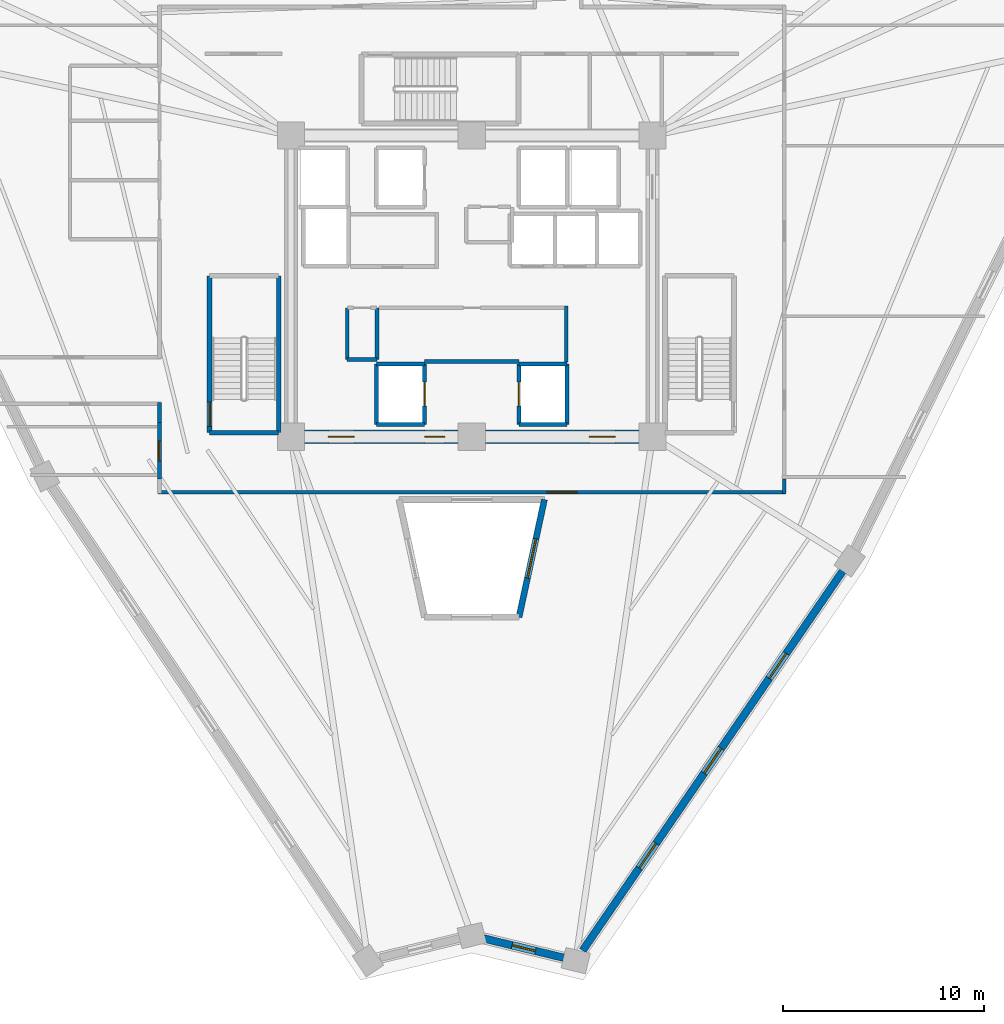
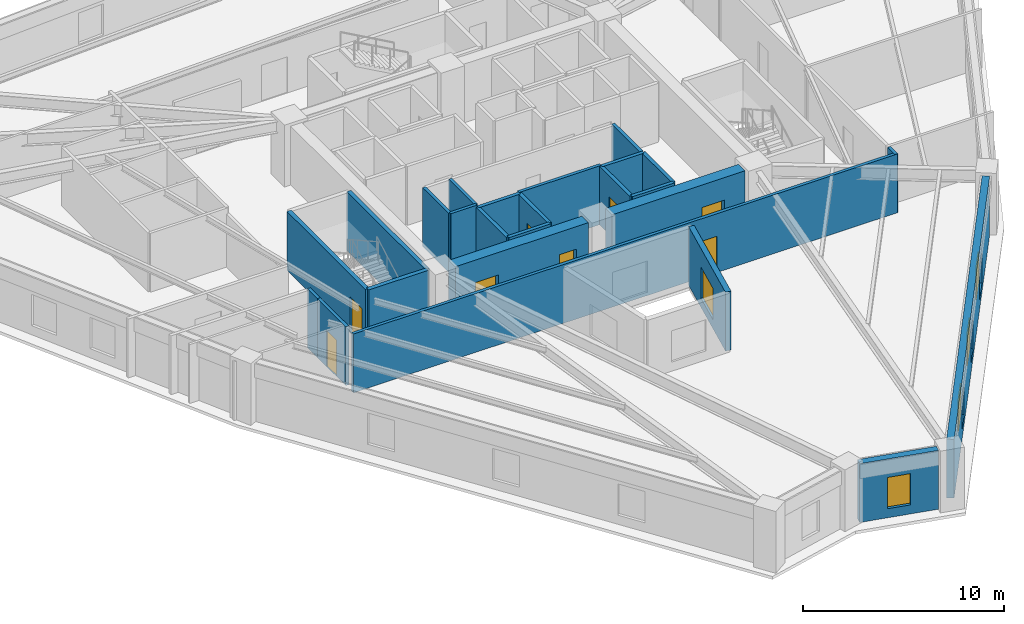
# One storey, part 3 of 8: 25 walls, 8 doors, 5 windows, 13 openings.
"""IFC4 building model written with IfcOpenShell, lengths in metres."""

from ifc_helpers import new_model, si_unit, direction, frame, frame_2d, origin, place, context, subcontext, project, spatial, rectangle, extrude, source, transform, mapped, material, layer, layer_set, type_object, element, fill, save


model = new_model("IFC4")

# Units and contexts
model_context = context("Model", 3, precision=1e-05, world=origin(), true_north=direction((0.0, 1.0)))
body_context = subcontext(model_context, "Body", "Model", "MODEL_VIEW")
ifc_project = project(units=[si_unit("LENGTHUNIT", "METRE"), si_unit("AREAUNIT", "SQUARE_METRE"), si_unit("VOLUMEUNIT", "CUBIC_METRE"), si_unit("PLANEANGLEUNIT", "RADIAN"), si_unit("MASSUNIT", "GRAM", prefix="KILO")], contexts=[model_context])

# Site, building, storey
site_placement = place(None, origin())
site = spatial("IfcSite", under=ifc_project, at=site_placement, CompositionType="ELEMENT")
building_placement = place(site_placement, origin())
building = spatial("IfcBuilding", under=site, at=building_placement, Name="Liaohun Quay Tower", CompositionType="ELEMENT")
storey_placement = place(building_placement, frame((0.0, 0.0, 262.5)))
storey = spatial("IfcBuildingStorey", under=building, at=storey_placement, Name="L68", CompositionType="ELEMENT", Elevation=262.5)

# Wall, opening, window
ifc_material_1 = material(Name="Concrete C50", Category="concrete")
ifc_layer_1 = layer(ifc_material_1, 0.300048828125, Name="Concrete C50", Category="concrete")
ifc_layer_set_1 = layer_set([ifc_layer_1], Name="Concrete C50")
wall_type_1 = type_object("IfcWallType", Name="WAL-ATR-300", PredefinedType="SOLIDWALL", material=ifc_layer_set_1)
wall_1_placement = place(storey_placement, frame((63.62109375, 43.3701171875, 0.0), z_axis=(0.0, 0.0, 1.0), x_axis=(-0.211271830319, -0.977427344468, 0.0)))
wall_1 = element("IfcWall", 1, at=wall_1_placement, inside=storey, type_object=wall_type_1, Name="L68 Atrium Fire Compartment Wall 3", PredefinedType="SOLIDWALL", context=body_context, shape_type="SweptSolid", body=[
    extrude(rectangle(XDim=5.99755859375, YDim=0.300048828125, at=frame_2d((2.998779296875, 0.0))), origin(), (0.0, 0.0, 1.0), 3.570068359375),
])
shared_shape_1 = source(origin(), body_context, "Body", "SweptSolid", [
    extrude(rectangle(XDim=2.0, YDim=1.89990234375, at=frame_2d((1.0, 0.949951171875))), frame((0.0, 0.159912109375, 0.0), z_axis=(0.0, -1.0, 0.0), x_axis=(1.0, 0.0, 0.0)), (0.0, 0.0, 1.0), 0.320068359375),
])
opening_1_placement = place(wall_1_placement, frame((1.9990234375, 0.0, 0.550048828125)))
opening_1 = element("IfcOpeningElement", 2, at=opening_1_placement, cuts=wall_1, Name="Opening W07", PredefinedType="OPENING", context=body_context, shape_type="MappedRepresentation", body=[
    mapped(shared_shape_1, transform((0.0, 0.0, 0.0), x_axis=(1.0, 0.0, 0.0), y_axis=(0.0, 1.0, 0.0), z_axis=(0.0, 0.0, 1.0), scale=1.0)),
])
ifc_material_2 = material(Name="Class A 180-min fire-resistant insulated glazing", Category="glass")
window_type_1 = type_object("IfcWindowType", Name="WIN-ATR-FIR", PartitioningType="DOUBLE_PANEL_VERTICAL", PredefinedType="WINDOW", material=ifc_material_2)
shared_shape_2 = source(origin(), body_context, "Body", "SweptSolid", [
    extrude(rectangle(XDim=2.0, YDim=1.89990234375, at=frame_2d((1.0, 0.949951171875))), frame((0.0, 0.030029296875, 0.0), z_axis=(0.0, -1.0, 0.0), x_axis=(1.0, 0.0, 0.0)), (0.0, 0.0, 1.0), 0.06005859375),
])
window_1_placement = place(opening_1_placement, origin())
window_1 = element("IfcWindow", 3, at=window_1_placement, inside=storey, type_object=window_type_1, Name="L68 Atrium Fire-Resistant Glazing W07-3", OverallHeight=1.89990234375, OverallWidth=2.0, PartitioningType="DOUBLE_PANEL_VERTICAL", PredefinedType="WINDOW", context=body_context, shape_type="MappedRepresentation", body=[
    mapped(shared_shape_2, transform((0.0, 0.0, 0.0), x_axis=(1.0, 0.0, 0.0), y_axis=(0.0, 1.0, 0.0), z_axis=(0.0, 0.0, 1.0), scale=1.0)),
])
fill(opening_1, window_1)

# Wall, opening, door
ifc_material_3 = material(Name="Concrete C55", Category="concrete")
ifc_layer_2 = layer(ifc_material_3, 0.64990234375, Name="Concrete C55", Category="concrete")
ifc_layer_set_2 = layer_set([ifc_layer_2], Name="Concrete C55")
wall_type_2 = type_object("IfcWallType", Name="WAL-COR-Z3", PredefinedType="SHEAR", material=ifc_layer_set_2)
wall_2_placement = place(storey_placement, frame((68.324951171875, 46.5, 0.0), z_axis=(0.0, 0.0, 1.0), x_axis=(-1.0, 0.0, 0.0)))
wall_2 = element("IfcWall", 4, at=wall_2_placement, inside=storey, type_object=wall_type_2, Name="L68 Central Core Shear Wall S-E", PredefinedType="SHEAR", context=body_context, shape_type="SweptSolid", body=[
    extrude(rectangle(XDim=7.64990234375, YDim=0.64990234375, at=frame_2d((3.824951171875, 0.0))), origin(), (0.0, 0.0, 1.0), 3.570068359375),
])
shared_shape_3 = source(origin(), body_context, "Body", "SweptSolid", [
    extrude(rectangle(XDim=1.300048828125, YDim=2.199951171875, at=frame_2d((0.64990234375, 1.10009765625))), frame((0.0, 0.3349609375, 0.0), z_axis=(0.0, -1.0, 0.0), x_axis=(1.0, 0.0, 0.0)), (0.0, 0.0, 1.0), 0.669921875),
])
opening_2_placement = place(wall_2_placement, frame((1.175048828125, 0.0, 0.0)))
opening_2 = element("IfcOpeningElement", 5, at=opening_2_placement, cuts=wall_2, Name="Opening FD1", PredefinedType="OPENING", context=body_context, shape_type="MappedRepresentation", body=[
    mapped(shared_shape_3, transform((0.0, 0.0, 0.0), x_axis=(1.0, 0.0, 0.0), y_axis=(0.0, 1.0, 0.0), z_axis=(0.0, 0.0, 1.0), scale=1.0)),
])
ifc_material_4 = material(Name="Galvanised steel smokeproof fire door", Category="steel")
door_type_1 = type_object("IfcDoorType", Name="DOR-FFL-1300", OperationType="NOTDEFINED", PredefinedType="DOOR", material=ifc_material_4)
shared_shape_4 = source(origin(), body_context, "Body", "SweptSolid", [
    extrude(rectangle(XDim=1.300048828125, YDim=2.199951171875, at=frame_2d((0.64990234375, 1.10009765625))), frame((0.0, 0.02490234375, 0.0), z_axis=(0.0, -1.0, 0.0), x_axis=(1.0, 0.0, 0.0)), (0.0, 0.0, 1.0), 0.050048828125),
])
door_1_placement = place(opening_2_placement, origin())
door_1 = element("IfcDoor", 6, at=door_1_placement, inside=storey, type_object=door_type_1, Name="L68 East Core Lift Lobby Smokeproof Door", OperationType="SINGLE_SWING_LEFT", OverallHeight=2.199951171875, OverallWidth=1.300048828125, PredefinedType="DOOR", context=body_context, shape_type="MappedRepresentation", body=[
    mapped(shared_shape_4, transform((0.0, 0.0, 0.0), x_axis=(1.0, 0.0, 0.0), y_axis=(0.0, 1.0, 0.0), z_axis=(0.0, 0.0, 1.0), scale=1.0)),
])
fill(opening_2, door_1)

# Wall, openings, doors
wall_3_placement = place(storey_placement, frame((59.324951171875, 46.5, 0.0), z_axis=(0.0, 0.0, 1.0), x_axis=(-1.0, 0.0, 0.0)))
wall_3 = element("IfcWall", 7, at=wall_3_placement, inside=storey, type_object=wall_type_2, Name="L68 Central Core Shear Wall S-W", PredefinedType="SHEAR", context=body_context, shape_type="SweptSolid", body=[
    extrude(rectangle(XDim=7.64990234375, YDim=0.64990234375, at=frame_2d((3.824951171875, 0.0))), origin(), (0.0, 0.0, 1.0), 3.570068359375),
])
opening_3_placement = place(wall_3_placement, frame((5.175048828125, 0.0, 0.0)))
opening_3 = element("IfcOpeningElement", 8, at=opening_3_placement, cuts=wall_3, Name="Opening FD1", PredefinedType="OPENING", context=body_context, shape_type="MappedRepresentation", body=[
    mapped(shared_shape_3, transform((0.0, 0.0, 0.0), x_axis=(1.0, 0.0, 0.0), y_axis=(0.0, 1.0, 0.0), z_axis=(0.0, 0.0, 1.0), scale=1.0)),
])
shared_shape_5 = source(origin(), body_context, "Body", "SweptSolid", [
    extrude(rectangle(XDim=1.0, YDim=2.199951171875, at=frame_2d((0.5, 1.10009765625))), frame((0.0, 0.3349609375, 0.0), z_axis=(0.0, -1.0, 0.0), x_axis=(1.0, 0.0, 0.0)), (0.0, 0.0, 1.0), 0.669921875),
])
opening_4_placement = place(wall_3_placement, frame((0.675048828125, 0.0, 0.0)))
opening_4 = element("IfcOpeningElement", 9, at=opening_4_placement, cuts=wall_3, Name="Opening FD2", PredefinedType="OPENING", context=body_context, shape_type="MappedRepresentation", body=[
    mapped(shared_shape_5, transform((0.0, 0.0, 0.0), x_axis=(1.0, 0.0, 0.0), y_axis=(0.0, 1.0, 0.0), z_axis=(0.0, 0.0, 1.0), scale=1.0)),
])
door_2_placement = place(opening_3_placement, origin())
door_2 = element("IfcDoor", 10, at=door_2_placement, inside=storey, type_object=door_type_1, Name="L68 West Core Lift Lobby Smokeproof Door", OperationType="SINGLE_SWING_RIGHT", OverallHeight=2.199951171875, OverallWidth=1.300048828125, PredefinedType="DOOR", context=body_context, shape_type="MappedRepresentation", body=[
    mapped(shared_shape_4, transform((0.0, 0.0, 0.0), x_axis=(1.0, 0.0, 0.0), y_axis=(0.0, 1.0, 0.0), z_axis=(0.0, 0.0, 1.0), scale=1.0)),
])
fill(opening_3, door_2)
ifc_material_5 = material(Name="Galvanised steel smokeproof lobby fire door", Category="steel")
door_type_2 = type_object("IfcDoorType", Name="DOR-FFL-1000", OperationType="NOTDEFINED", PredefinedType="DOOR", material=ifc_material_5)
shared_shape_6 = source(origin(), body_context, "Body", "SweptSolid", [
    extrude(rectangle(XDim=1.0, YDim=2.199951171875, at=frame_2d((0.5, 1.10009765625))), frame((0.0, 0.02490234375, 0.0), z_axis=(0.0, -1.0, 0.0), x_axis=(1.0, 0.0, 0.0)), (0.0, 0.0, 1.0), 0.050048828125),
])
door_3_placement = place(opening_4_placement, origin())
door_3 = element("IfcDoor", 11, at=door_3_placement, inside=storey, type_object=door_type_2, Name="L68 South Firefighting Lobby Smokeproof Door", OperationType="SINGLE_SWING_LEFT", OverallHeight=2.199951171875, OverallWidth=1.0, PredefinedType="DOOR", context=body_context, shape_type="MappedRepresentation", body=[
    mapped(shared_shape_6, transform((0.0, 0.0, 0.0), x_axis=(1.0, 0.0, 0.0), y_axis=(0.0, 1.0, 0.0), z_axis=(0.0, 0.0, 1.0), scale=1.0)),
])
fill(opening_4, door_3)

# Wall, opening, window
ifc_material_6 = material(Name="Precast concrete C50 insulated sandwich", Category="concrete")
ifc_layer_3 = layer(ifc_material_6, 0.3798828125, Name="Precast concrete C50 insulated sandwich", Category="concrete")
ifc_layer_set_3 = layer_set([ifc_layer_3], Name="Precast concrete C50 insulated sandwich")
wall_type_3 = type_object("IfcWallType", Name="WAL-EXT-Z34", PredefinedType="SOLIDWALL", material=ifc_layer_set_3)
wall_4_placement = place(storey_placement, frame((60.597900390625, 21.5048828125, 0.0), z_axis=(0.0, 0.0, 1.0), x_axis=(0.972030144739, -0.234856121314, 0.0)))
wall_4 = element("IfcWall", 12, at=wall_4_placement, inside=storey, type_object=wall_type_3, Name="L68 Brutalist Precast Pier Wall 01", PredefinedType="SOLIDWALL", context=body_context, shape_type="SweptSolid", body=[
    extrude(rectangle(XDim=4.095703125, YDim=0.3798828125, at=frame_2d((2.0478515625, 0.0))), origin(), (0.0, 0.0, 1.0), 3.570068359375),
])
shared_shape_7 = source(origin(), body_context, "Body", "SweptSolid", [
    extrude(rectangle(XDim=1.199951171875, YDim=1.89990234375, at=frame_2d((0.60009765625, 0.949951171875))), frame((0.0, 0.199951171875, 0.0), z_axis=(0.0, -1.0, 0.0), x_axis=(1.0, 0.0, 0.0)), (0.0, 0.0, 1.0), 0.39990234375),
])
opening_5_placement = place(wall_4_placement, frame((1.447998046875, 0.0, 0.550048828125)))
opening_5 = element("IfcOpeningElement", 13, at=opening_5_placement, cuts=wall_4, Name="Opening W05", PredefinedType="OPENING", context=body_context, shape_type="MappedRepresentation", body=[
    mapped(shared_shape_7, transform((0.0, 0.0, 0.0), x_axis=(1.0, 0.0, 0.0), y_axis=(0.0, 1.0, 0.0), z_axis=(0.0, 0.0, 1.0), scale=1.0)),
])
ifc_material_7 = material(Name="Triple Low-E corner notch glazing", Category="glass")
window_type_2 = type_object("IfcWindowType", Name="WIN-NOTCH", PartitioningType="SINGLE_PANEL", PredefinedType="WINDOW", material=ifc_material_7)
shared_shape_8 = source(origin(), body_context, "Body", "SweptSolid", [
    extrude(rectangle(XDim=1.199951171875, YDim=1.89990234375, at=frame_2d((0.60009765625, 0.949951171875))), frame((0.0, 0.030029296875, 0.0), z_axis=(0.0, -1.0, 0.0), x_axis=(1.0, 0.0, 0.0)), (0.0, 0.0, 1.0), 0.06005859375),
])
window_2_placement = place(opening_5_placement, origin())
window_2 = element("IfcWindow", 14, at=window_2_placement, inside=storey, type_object=window_type_2, Name="L68 Corner Notch Window W05-01", OverallHeight=1.89990234375, OverallWidth=1.199951171875, PartitioningType="SINGLE_PANEL", PredefinedType="WINDOW", context=body_context, shape_type="MappedRepresentation", body=[
    mapped(shared_shape_8, transform((0.0, 0.0, 0.0), x_axis=(1.0, 0.0, 0.0), y_axis=(0.0, 1.0, 0.0), z_axis=(0.0, 0.0, 1.0), scale=1.0)),
])
fill(opening_5, window_2)

# Wall, openings, windows
wall_5_placement = place(storey_placement, frame((65.52490234375, 20.906005859375, 0.0), z_axis=(0.0, 0.0, 1.0), x_axis=(0.565364357926, 0.824841283392, 0.0)))
wall_5 = element("IfcWall", 15, at=wall_5_placement, inside=storey, type_object=wall_type_3, Name="L68 Brutalist Precast Pier Wall 02", PredefinedType="SOLIDWALL", context=body_context, shape_type="SweptSolid", body=[
    extrude(rectangle(XDim=22.91455078125, YDim=0.3798828125, at=frame_2d((11.457275390625, 0.0))), origin(), (0.0, 0.0, 1.0), 3.570068359375),
])
shared_shape_9 = source(origin(), body_context, "Body", "SweptSolid", [
    extrude(rectangle(XDim=1.5, YDim=1.89990234375, at=frame_2d((0.75, 0.949951171875))), frame((0.0, 0.199951171875, 0.0), z_axis=(0.0, -1.0, 0.0), x_axis=(1.0, 0.0, 0.0)), (0.0, 0.0, 1.0), 0.39990234375),
])
opening_6_placement = place(wall_5_placement, frame((4.97900390625, 0.0, 0.550048828125)))
opening_6 = element("IfcOpeningElement", 16, at=opening_6_placement, cuts=wall_5, Name="Opening W03", PredefinedType="OPENING", context=body_context, shape_type="MappedRepresentation", body=[
    mapped(shared_shape_9, transform((0.0, 0.0, 0.0), x_axis=(1.0, 0.0, 0.0), y_axis=(0.0, 1.0, 0.0), z_axis=(0.0, 0.0, 1.0), scale=1.0)),
])
opening_7_placement = place(wall_5_placement, frame((10.70703125, 0.0, 0.550048828125)))
opening_7 = element("IfcOpeningElement", 17, at=opening_7_placement, cuts=wall_5, Name="Opening W03", PredefinedType="OPENING", context=body_context, shape_type="MappedRepresentation", body=[
    mapped(shared_shape_9, transform((0.0, 0.0, 0.0), x_axis=(1.0, 0.0, 0.0), y_axis=(0.0, 1.0, 0.0), z_axis=(0.0, 0.0, 1.0), scale=1.0)),
])
opening_8_placement = place(wall_5_placement, frame((16.43603515625, 0.0, 0.550048828125)))
opening_8 = element("IfcOpeningElement", 18, at=opening_8_placement, cuts=wall_5, Name="Opening W03", PredefinedType="OPENING", context=body_context, shape_type="MappedRepresentation", body=[
    mapped(shared_shape_9, transform((0.0, 0.0, 0.0), x_axis=(1.0, 0.0, 0.0), y_axis=(0.0, 1.0, 0.0), z_axis=(0.0, 0.0, 1.0), scale=1.0)),
])
ifc_material_8 = material(Name="Triple Low-E argon glazing in thermally broken aluminium", Category="aluminium")
window_type_3 = type_object("IfcWindowType", Name="WIN-PUN-Z3", PartitioningType="DOUBLE_PANEL_VERTICAL", PredefinedType="WINDOW", material=ifc_material_8)
shared_shape_10 = source(origin(), body_context, "Body", "SweptSolid", [
    extrude(rectangle(XDim=1.5, YDim=1.89990234375, at=frame_2d((0.75, 0.949951171875))), frame((0.0, 0.030029296875, 0.0), z_axis=(0.0, -1.0, 0.0), x_axis=(1.0, 0.0, 0.0)), (0.0, 0.0, 1.0), 0.06005859375),
])
window_3_placement = place(opening_6_placement, origin())
window_3 = element("IfcWindow", 19, at=window_3_placement, inside=storey, type_object=window_type_3, Name="L68 Recessed Cold-Climate Punched Window 02-1", OverallHeight=1.89990234375, OverallWidth=1.5, PartitioningType="DOUBLE_PANEL_VERTICAL", PredefinedType="WINDOW", context=body_context, shape_type="MappedRepresentation", body=[
    mapped(shared_shape_10, transform((0.0, 0.0, 0.0), x_axis=(1.0, 0.0, 0.0), y_axis=(0.0, 1.0, 0.0), z_axis=(0.0, 0.0, 1.0), scale=1.0)),
])
fill(opening_6, window_3)
window_4_placement = place(opening_7_placement, origin())
window_4 = element("IfcWindow", 20, at=window_4_placement, inside=storey, type_object=window_type_3, Name="L68 Recessed Cold-Climate Punched Window 02-2", OverallHeight=1.89990234375, OverallWidth=1.5, PartitioningType="DOUBLE_PANEL_VERTICAL", PredefinedType="WINDOW", context=body_context, shape_type="MappedRepresentation", body=[
    mapped(shared_shape_10, transform((0.0, 0.0, 0.0), x_axis=(1.0, 0.0, 0.0), y_axis=(0.0, 1.0, 0.0), z_axis=(0.0, 0.0, 1.0), scale=1.0)),
])
fill(opening_7, window_4)
window_5_placement = place(opening_8_placement, origin())
window_5 = element("IfcWindow", 21, at=window_5_placement, inside=storey, type_object=window_type_3, Name="L68 Recessed Cold-Climate Punched Window 02-3", OverallHeight=1.89990234375, OverallWidth=1.5, PartitioningType="DOUBLE_PANEL_VERTICAL", PredefinedType="WINDOW", context=body_context, shape_type="MappedRepresentation", body=[
    mapped(shared_shape_10, transform((0.0, 0.0, 0.0), x_axis=(1.0, 0.0, 0.0), y_axis=(0.0, 1.0, 0.0), z_axis=(0.0, 0.0, 1.0), scale=1.0)),
])
fill(opening_8, window_5)

# Wall, opening, door
ifc_material_9 = material(Name="Autoclaved aerated concrete blockwork", Category="masonry")
ifc_layer_4 = layer(ifc_material_9, 0.179931640625, Name="Autoclaved aerated concrete blockwork", Category="masonry")
ifc_layer_set_4 = layer_set([ifc_layer_4], Name="Autoclaved aerated concrete blockwork")
wall_type_4 = type_object("IfcWallType", Name="WAL-PRT-COR", PredefinedType="PARTITIONING", material=ifc_layer_set_4)
wall_6_placement = place(storey_placement, frame((44.43994140625, 44.385009765625, 0.0), z_axis=(0.0, 0.0, 1.0), x_axis=(0.0, 1.0, 0.0)))
wall_6 = element("IfcWall", 22, at=wall_6_placement, inside=storey, type_object=wall_type_4, Name="L68 Interior Partition Wall 018", PredefinedType="PARTITIONING", context=body_context, shape_type="SweptSolid", body=[
    extrude(rectangle(XDim=2.830078125, YDim=0.179931640625, at=frame_2d((1.4150390625, 0.0))), origin(), (0.0, 0.0, 1.0), 3.570068359375),
])
shared_shape_11 = source(origin(), body_context, "Body", "SweptSolid", [
    extrude(rectangle(XDim=1.0, YDim=2.199951171875, at=frame_2d((0.5, 1.10009765625))), frame((0.0, 0.099853515625, 0.0), z_axis=(0.0, -1.0, 0.0), x_axis=(1.0, 0.0, 0.0)), (0.0, 0.0, 1.0), 0.199951171875),
])
opening_9_placement = place(wall_6_placement, frame((0.9150390625, 0.0, 0.0)))
opening_9 = element("IfcOpeningElement", 23, at=opening_9_placement, cuts=wall_6, Name="Opening OD1", PredefinedType="OPENING", context=body_context, shape_type="MappedRepresentation", body=[
    mapped(shared_shape_11, transform((0.0, 0.0, 0.0), x_axis=(1.0, 0.0, 0.0), y_axis=(0.0, 1.0, 0.0), z_axis=(0.0, 0.0, 1.0), scale=1.0)),
])
ifc_material_10 = material(Name="Solid-core oak veneer timber leaf in steel frame", Category="steel")
door_type_3 = type_object("IfcDoorType", Name="DOR-OFF-1000", OperationType="NOTDEFINED", PredefinedType="DOOR", material=ifc_material_10)
door_4_placement = place(opening_9_placement, origin())
door_4 = element("IfcDoor", 24, at=door_4_placement, inside=storey, type_object=door_type_3, Name="L68 Digital Prototyping Laboratory 07 Door", OperationType="SINGLE_SWING_RIGHT", OverallHeight=2.199951171875, OverallWidth=1.0, PredefinedType="DOOR", context=body_context, shape_type="MappedRepresentation", body=[
    mapped(shared_shape_6, transform((0.0, 0.0, 0.0), x_axis=(1.0, 0.0, 0.0), y_axis=(0.0, 1.0, 0.0), z_axis=(0.0, 0.0, 1.0), scale=1.0)),
])
fill(opening_9, door_4)

wall_7_placement = place(storey_placement, frame((75.6298828125, 43.739990234375, 0.0), z_axis=(0.0, 0.0, 1.0), x_axis=(-1.0, 0.0, 0.0)))
wall_7 = element("IfcWall", 25, at=wall_7_placement, inside=storey, type_object=wall_type_4, Name="L68 Interior Partition Wall 019", PredefinedType="PARTITIONING", context=body_context, shape_type="SweptSolid", body=[
    extrude(rectangle(XDim=31.259765625, YDim=0.179931640625, at=frame_2d((15.6298828125, 0.0))), origin(), (0.0, 0.0, 1.0), 3.570068359375),
])
shared_shape_12 = source(origin(), body_context, "Body", "SweptSolid", [
    extrude(rectangle(XDim=1.5, YDim=2.199951171875, at=frame_2d((0.75, 1.10009765625))), frame((0.0, 0.099853515625, 0.0), z_axis=(0.0, -1.0, 0.0), x_axis=(1.0, 0.0, 0.0)), (0.0, 0.0, 1.0), 0.199951171875),
])
opening_10_placement = place(wall_7_placement, frame((10.3798828125, 0.0, 0.0)))
opening_10 = element("IfcOpeningElement", 26, at=opening_10_placement, cuts=wall_7, Name="Opening OD2", PredefinedType="OPENING", context=body_context, shape_type="MappedRepresentation", body=[
    mapped(shared_shape_12, transform((0.0, 0.0, 0.0), x_axis=(1.0, 0.0, 0.0), y_axis=(0.0, 1.0, 0.0), z_axis=(0.0, 0.0, 1.0), scale=1.0)),
])
ifc_material_11 = material(Name="Acoustic oak veneer double door")
door_type_4 = type_object("IfcDoorType", Name="DOR-OFF-1500", OperationType="DOUBLE_DOOR_SINGLE_SWING", PredefinedType="DOOR", material=ifc_material_11)
shared_shape_13 = source(origin(), body_context, "Body", "SweptSolid", [
    extrude(rectangle(XDim=1.5, YDim=2.199951171875, at=frame_2d((0.75, 1.10009765625))), frame((0.0, 0.02490234375, 0.0), z_axis=(0.0, -1.0, 0.0), x_axis=(1.0, 0.0, 0.0)), (0.0, 0.0, 1.0), 0.050048828125),
])
door_5_placement = place(opening_10_placement, origin())
door_5 = element("IfcDoor", 27, at=door_5_placement, inside=storey, type_object=door_type_4, Name="L68 Client Collaboration Lounge 08 Door", OperationType="DOUBLE_DOOR_SINGLE_SWING", OverallHeight=2.199951171875, OverallWidth=1.5, PredefinedType="DOOR", context=body_context, shape_type="MappedRepresentation", body=[
    mapped(shared_shape_13, transform((0.0, 0.0, 0.0), x_axis=(1.0, 0.0, 0.0), y_axis=(0.0, 1.0, 0.0), z_axis=(0.0, 0.0, 1.0), scale=1.0)),
])
fill(opening_10, door_5)

# Walls
wall_8_placement = place(storey_placement, frame((53.7900390625, 50.35009765625, 0.0), z_axis=(0.0, 0.0, 1.0), x_axis=(0.0, 1.0, 0.0)))
element("IfcWall", 28, at=wall_8_placement, inside=storey, type_object=wall_type_4, Name="L68 Interior Partition Wall 024", PredefinedType="PARTITIONING", context=body_context, shape_type="SweptSolid", body=[
    extrude(rectangle(XDim=2.56982421875, YDim=0.179931640625, at=frame_2d((1.284912109375, 0.0))), origin(), (0.0, 0.0, 1.0), 3.570068359375),
])
wall_9_placement = place(storey_placement, frame((53.7900390625, 50.35009765625, 0.0), z_axis=(0.0, 0.0, 1.0), x_axis=(1.0, 0.0, 0.0)))
element("IfcWall", 29, at=wall_9_placement, inside=storey, type_object=wall_type_4, Name="L68 Interior Partition Wall 025", PredefinedType="PARTITIONING", context=body_context, shape_type="SweptSolid", body=[
    extrude(rectangle(XDim=1.489990234375, YDim=0.179931640625, at=frame_2d((0.7451171875, 0.0))), origin(), (0.0, 0.0, 1.0), 3.570068359375),
])
wall_10_placement = place(storey_placement, frame((55.280029296875, 50.35009765625, 0.0), z_axis=(0.0, 0.0, 1.0), x_axis=(0.0, 1.0, 0.0)))
element("IfcWall", 30, at=wall_10_placement, inside=storey, type_object=wall_type_4, Name="L68 Interior Partition Wall 026", PredefinedType="PARTITIONING", context=body_context, shape_type="SweptSolid", body=[
    extrude(rectangle(XDim=2.56982421875, YDim=0.179931640625, at=frame_2d((1.284912109375, 0.0))), origin(), (0.0, 0.0, 1.0), 3.570068359375),
])
wall_11_placement = place(storey_placement, frame((44.43994140625, 47.215087890625, 0.0), z_axis=(0.0, 0.0, 1.0), x_axis=(0.0, 1.0, 0.0)))
element("IfcWall", 31, at=wall_11_placement, inside=storey, type_object=wall_type_4, Name="L68 Interior Partition Wall 040", PredefinedType="PARTITIONING", context=body_context, shape_type="SweptSolid", body=[
    extrude(rectangle(XDim=0.994873046875, YDim=0.179931640625, at=frame_2d((0.49755859375, 0.0))), origin(), (0.0, 0.0, 1.0), 3.570068359375),
])
wall_12_placement = place(storey_placement, frame((75.56005859375, 44.385009765625, 0.0), z_axis=(0.0, 0.0, 1.0), x_axis=(0.0, -1.0, 0.0)))
element("IfcWall", 32, at=wall_12_placement, inside=storey, type_object=wall_type_4, Name="L68 Interior Partition Wall 042", PredefinedType="PARTITIONING", context=body_context, shape_type="SweptSolid", body=[
    extrude(rectangle(XDim=0.715087890625, YDim=0.179931640625, at=frame_2d((0.357421875, 0.0))), origin(), (0.0, 0.0, 1.0), 3.570068359375),
])
wall_13_placement = place(storey_placement, frame((64.699951171875, 50.219970703125, 0.0), z_axis=(0.0, 0.0, 1.0), x_axis=(0.0, 1.0, 0.0)))
element("IfcWall", 33, at=wall_13_placement, inside=storey, type_object=wall_type_4, Name="L68 Interior Partition Wall 050", PredefinedType="PARTITIONING", context=body_context, shape_type="SweptSolid", body=[
    extrude(rectangle(XDim=2.7900390625, YDim=0.179931640625, at=frame_2d((1.39501953125, 0.0))), origin(), (0.0, 0.0, 1.0), 3.570068359375),
])
wall_14_placement = place(storey_placement, frame((57.64990234375, 50.25, 0.0), z_axis=(0.0, 0.0, 1.0), x_axis=(1.0, 0.0, 0.0)))
element("IfcWall", 34, at=wall_14_placement, inside=storey, type_object=wall_type_4, Name="L68 Interior Partition Wall 051", PredefinedType="PARTITIONING", context=body_context, shape_type="SweptSolid", body=[
    extrude(rectangle(XDim=4.7001953125, YDim=0.179931640625, at=frame_2d((2.35009765625, 0.0))), origin(), (0.0, 0.0, 1.0), 3.570068359375),
])
ifc_layer_5 = layer(ifc_material_1, 0.239990234375, Name="Concrete C50", Category="concrete")
ifc_layer_set_5 = layer_set([ifc_layer_5], Name="Concrete C50")
wall_type_5 = type_object("IfcWallType", Name="WAL-SHF-200", PredefinedType="SOLIDWALL", material=ifc_layer_set_5)
wall_15_placement = place(storey_placement, frame((46.93994140625, 46.699951171875, 0.0), z_axis=(0.0, 0.0, 1.0), x_axis=(1.0, 0.0, 0.0)))
element("IfcWall", 35, at=wall_15_placement, inside=storey, type_object=wall_type_5, Name="L68 Stairwell ST-1 Structural Core Wall S", PredefinedType="SOLIDWALL", context=body_context, shape_type="SweptSolid", body=[
    extrude(rectangle(XDim=3.43994140625, YDim=0.239990234375, at=frame_2d((1.719970703125, 0.0))), origin(), (0.0, 0.0, 1.0), 3.570068359375),
])
wall_16_placement = place(storey_placement, frame((50.3798828125, 46.699951171875, 0.0), z_axis=(0.0, 0.0, 1.0), x_axis=(0.0, 1.0, 0.0)))
element("IfcWall", 36, at=wall_16_placement, inside=storey, type_object=wall_type_5, Name="L68 Stairwell ST-1 Structural Core Wall E", PredefinedType="SOLIDWALL", context=body_context, shape_type="SweptSolid", body=[
    extrude(rectangle(XDim=7.820068359375, YDim=0.239990234375, at=frame_2d((3.91015625, 0.0))), origin(), (0.0, 0.0, 1.0), 3.570068359375),
])

# Wall, opening, door
wall_17_placement = place(storey_placement, frame((46.93994140625, 54.52001953125, 0.0), z_axis=(0.0, 0.0, 1.0), x_axis=(0.0, -1.0, 0.0)))
wall_17 = element("IfcWall", 37, at=wall_17_placement, inside=storey, type_object=wall_type_5, Name="L68 Stairwell ST-1 Structural Core Wall W", PredefinedType="SOLIDWALL", context=body_context, shape_type="SweptSolid", body=[
    extrude(rectangle(XDim=7.820068359375, YDim=0.239990234375, at=frame_2d((3.91015625, 0.0))), origin(), (0.0, 0.0, 1.0), 3.570068359375),
])
shared_shape_14 = source(origin(), body_context, "Body", "SweptSolid", [
    extrude(rectangle(XDim=1.199951171875, YDim=2.199951171875, at=frame_2d((0.60009765625, 1.10009765625))), frame((0.0, 0.1298828125, 0.0), z_axis=(0.0, -1.0, 0.0), x_axis=(1.0, 0.0, 0.0)), (0.0, 0.0, 1.0), 0.260009765625),
])
opening_11_placement = place(wall_17_placement, frame((6.300048828125, 0.0, 0.0)))
opening_11 = element("IfcOpeningElement", 38, at=opening_11_placement, cuts=wall_17, Name="Opening SD1", PredefinedType="OPENING", context=body_context, shape_type="MappedRepresentation", body=[
    mapped(shared_shape_14, transform((0.0, 0.0, 0.0), x_axis=(1.0, 0.0, 0.0), y_axis=(0.0, 1.0, 0.0), z_axis=(0.0, 0.0, 1.0), scale=1.0)),
])
ifc_material_12 = material(Name="Galvanised steel fire door", Category="steel")
door_type_5 = type_object("IfcDoorType", Name="DOR-STR-1200", OperationType="NOTDEFINED", PredefinedType="DOOR", material=ifc_material_12)
shared_shape_15 = source(origin(), body_context, "Body", "SweptSolid", [
    extrude(rectangle(XDim=1.199951171875, YDim=2.199951171875, at=frame_2d((0.60009765625, 1.10009765625))), frame((0.0, 0.02490234375, 0.0), z_axis=(0.0, -1.0, 0.0), x_axis=(1.0, 0.0, 0.0)), (0.0, 0.0, 1.0), 0.050048828125),
])
door_6_placement = place(opening_11_placement, origin())
door_6 = element("IfcDoor", 39, at=door_6_placement, inside=storey, type_object=door_type_5, Name="L68 Protected Stair ST-1 Fire Door", OperationType="SINGLE_SWING_LEFT", OverallHeight=2.199951171875, OverallWidth=1.199951171875, PredefinedType="DOOR", context=body_context, shape_type="MappedRepresentation", body=[
    mapped(shared_shape_15, transform((0.0, 0.0, 0.0), x_axis=(1.0, 0.0, 0.0), y_axis=(0.0, 1.0, 0.0), z_axis=(0.0, 0.0, 1.0), scale=1.0)),
])
fill(opening_11, door_6)

# Wall
wall_18_placement = place(storey_placement, frame((55.25, 47.1201171875, 0.0), z_axis=(0.0, 0.0, 1.0), x_axis=(1.0, 0.0, 0.0)))
element("IfcWall", 40, at=wall_18_placement, inside=storey, type_object=wall_type_5, Name="L68 Lift FF-01 Hoistway Wall S", PredefinedType="SOLIDWALL", context=body_context, shape_type="SweptSolid", body=[
    extrude(rectangle(XDim=2.39990234375, YDim=0.199951171875, at=frame_2d((1.199951171875, 0.0))), origin(), (0.0, 0.0, 1.0), 3.570068359375),
])

# Wall, opening, door
wall_19_placement = place(storey_placement, frame((57.64990234375, 47.1201171875, 0.0), z_axis=(0.0, 0.0, 1.0), x_axis=(0.0, 1.0, 0.0)))
wall_19 = element("IfcWall", 41, at=wall_19_placement, inside=storey, type_object=wall_type_5, Name="L68 Lift FF-01 Hoistway Wall E", PredefinedType="SOLIDWALL", context=body_context, shape_type="SweptSolid", body=[
    extrude(rectangle(XDim=3.0, YDim=0.199951171875, at=frame_2d((1.5, 0.0))), origin(), (0.0, 0.0, 1.0), 3.570068359375),
])
shared_shape_16 = source(origin(), body_context, "Body", "SweptSolid", [
    extrude(rectangle(XDim=1.199951171875, YDim=2.300048828125, at=frame_2d((0.60009765625, 1.14990234375))), frame((0.0, 0.10986328125, 0.0), z_axis=(0.0, -1.0, 0.0), x_axis=(1.0, 0.0, 0.0)), (0.0, 0.0, 1.0), 0.219970703125),
])
opening_12_placement = place(wall_19_placement, frame((0.89990234375, 0.0, 0.0)))
opening_12 = element("IfcOpeningElement", 42, at=opening_12_placement, cuts=wall_19, Name="Opening LD2", PredefinedType="OPENING", context=body_context, shape_type="MappedRepresentation", body=[
    mapped(shared_shape_16, transform((0.0, 0.0, 0.0), x_axis=(1.0, 0.0, 0.0), y_axis=(0.0, 1.0, 0.0), z_axis=(0.0, 0.0, 1.0), scale=1.0)),
])
ifc_material_13 = material(Name="Brushed stainless steel stretcher landing door", Category="steel")
door_type_6 = type_object("IfcDoorType", Name="DOR-LFT-1200", OperationType="SLIDING_TO_LEFT", PredefinedType="DOOR", material=ifc_material_13)
shared_shape_17 = source(origin(), body_context, "Body", "SweptSolid", [
    extrude(rectangle(XDim=1.199951171875, YDim=2.300048828125, at=frame_2d((0.60009765625, 1.14990234375))), frame((0.0, 0.02490234375, 0.0), z_axis=(0.0, -1.0, 0.0), x_axis=(1.0, 0.0, 0.0)), (0.0, 0.0, 1.0), 0.050048828125),
])
door_7_placement = place(opening_12_placement, origin())
door_7 = element("IfcDoor", 43, at=door_7_placement, inside=storey, type_object=door_type_6, Name="L68 Lift FF-01 Sliding Landing Door", OperationType="SLIDING_TO_LEFT", OverallHeight=2.300048828125, OverallWidth=1.199951171875, PredefinedType="DOOR", context=body_context, shape_type="MappedRepresentation", body=[
    mapped(shared_shape_17, transform((0.0, 0.0, 0.0), x_axis=(1.0, 0.0, 0.0), y_axis=(0.0, 1.0, 0.0), z_axis=(0.0, 0.0, 1.0), scale=1.0)),
])
fill(opening_12, door_7)

# Walls
wall_20_placement = place(storey_placement, frame((57.64990234375, 50.1201171875, 0.0), z_axis=(0.0, 0.0, 1.0), x_axis=(-1.0, 0.0, 0.0)))
element("IfcWall", 44, at=wall_20_placement, inside=storey, type_object=wall_type_5, Name="L68 Lift FF-01 Hoistway Wall N", PredefinedType="SOLIDWALL", context=body_context, shape_type="SweptSolid", body=[
    extrude(rectangle(XDim=2.39990234375, YDim=0.199951171875, at=frame_2d((1.199951171875, 0.0))), origin(), (0.0, 0.0, 1.0), 3.570068359375),
])
wall_21_placement = place(storey_placement, frame((55.25, 50.1201171875, 0.0), z_axis=(0.0, 0.0, 1.0), x_axis=(0.0, -1.0, 0.0)))
element("IfcWall", 45, at=wall_21_placement, inside=storey, type_object=wall_type_5, Name="L68 Lift FF-01 Hoistway Wall W", PredefinedType="SOLIDWALL", context=body_context, shape_type="SweptSolid", body=[
    extrude(rectangle(XDim=3.0, YDim=0.199951171875, at=frame_2d((1.5, 0.0))), origin(), (0.0, 0.0, 1.0), 3.570068359375),
])
wall_22_placement = place(storey_placement, frame((62.35009765625, 47.1201171875, 0.0), z_axis=(0.0, 0.0, 1.0), x_axis=(1.0, 0.0, 0.0)))
element("IfcWall", 46, at=wall_22_placement, inside=storey, type_object=wall_type_5, Name="L68 Lift FF-02 Hoistway Wall S", PredefinedType="SOLIDWALL", context=body_context, shape_type="SweptSolid", body=[
    extrude(rectangle(XDim=2.39990234375, YDim=0.199951171875, at=frame_2d((1.199951171875, 0.0))), origin(), (0.0, 0.0, 1.0), 3.570068359375),
])
wall_23_placement = place(storey_placement, frame((64.75, 47.1201171875, 0.0), z_axis=(0.0, 0.0, 1.0), x_axis=(0.0, 1.0, 0.0)))
element("IfcWall", 47, at=wall_23_placement, inside=storey, type_object=wall_type_5, Name="L68 Lift FF-02 Hoistway Wall E", PredefinedType="SOLIDWALL", context=body_context, shape_type="SweptSolid", body=[
    extrude(rectangle(XDim=3.0, YDim=0.199951171875, at=frame_2d((1.5, 0.0))), origin(), (0.0, 0.0, 1.0), 3.570068359375),
])
wall_24_placement = place(storey_placement, frame((64.75, 50.1201171875, 0.0), z_axis=(0.0, 0.0, 1.0), x_axis=(-1.0, 0.0, 0.0)))
element("IfcWall", 48, at=wall_24_placement, inside=storey, type_object=wall_type_5, Name="L68 Lift FF-02 Hoistway Wall N", PredefinedType="SOLIDWALL", context=body_context, shape_type="SweptSolid", body=[
    extrude(rectangle(XDim=2.39990234375, YDim=0.199951171875, at=frame_2d((1.199951171875, 0.0))), origin(), (0.0, 0.0, 1.0), 3.570068359375),
])

# Wall, opening, door
wall_25_placement = place(storey_placement, frame((62.35009765625, 50.1201171875, 0.0), z_axis=(0.0, 0.0, 1.0), x_axis=(0.0, -1.0, 0.0)))
wall_25 = element("IfcWall", 49, at=wall_25_placement, inside=storey, type_object=wall_type_5, Name="L68 Lift FF-02 Hoistway Wall W", PredefinedType="SOLIDWALL", context=body_context, shape_type="SweptSolid", body=[
    extrude(rectangle(XDim=3.0, YDim=0.199951171875, at=frame_2d((1.5, 0.0))), origin(), (0.0, 0.0, 1.0), 3.570068359375),
])
opening_13_placement = place(wall_25_placement, frame((0.89990234375, 0.0, 0.0)))
opening_13 = element("IfcOpeningElement", 50, at=opening_13_placement, cuts=wall_25, Name="Opening LD2", PredefinedType="OPENING", context=body_context, shape_type="MappedRepresentation", body=[
    mapped(shared_shape_16, transform((0.0, 0.0, 0.0), x_axis=(1.0, 0.0, 0.0), y_axis=(0.0, 1.0, 0.0), z_axis=(0.0, 0.0, 1.0), scale=1.0)),
])
door_8_placement = place(opening_13_placement, origin())
door_8 = element("IfcDoor", 51, at=door_8_placement, inside=storey, type_object=door_type_6, Name="L68 Lift FF-02 Sliding Landing Door", OperationType="SLIDING_TO_LEFT", OverallHeight=2.300048828125, OverallWidth=1.199951171875, PredefinedType="DOOR", context=body_context, shape_type="MappedRepresentation", body=[
    mapped(shared_shape_17, transform((0.0, 0.0, 0.0), x_axis=(1.0, 0.0, 0.0), y_axis=(0.0, 1.0, 0.0), z_axis=(0.0, 0.0, 1.0), scale=1.0)),
])
fill(opening_13, door_8)

save(model, "model.ifc")
